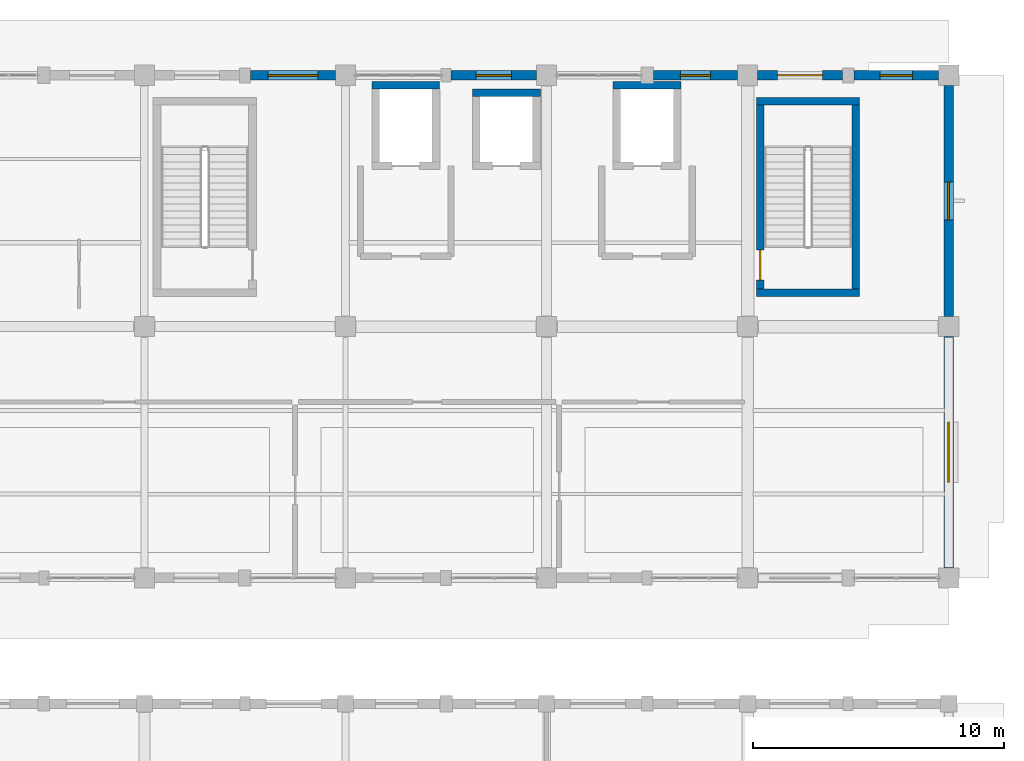
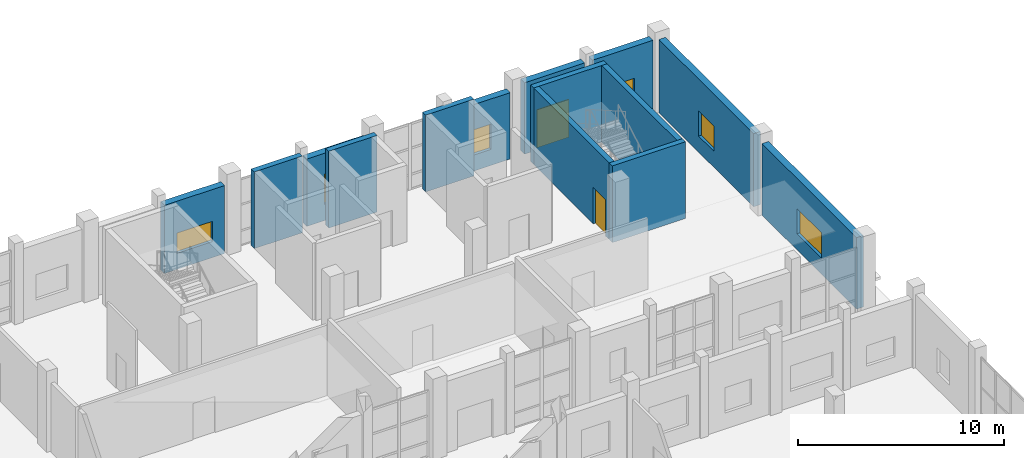
# One storey, part 133 of 156: 14 walls, 6 windows, 2 doors, 8 openings.
"""IFC4 building model written with IfcOpenShell, lengths in metres."""

from ifc_helpers import new_model, si_unit, direction, frame, frame_2d, origin, place, context, subcontext, project, spatial, rectangle, extrude, material, layer, layer_set, type_object, element, fill, save


model = new_model("IFC4")

# Units and contexts
model_context = context("Model", 3, precision=1e-05, world=origin(), true_north=direction((0.0, 1.0)))
body_context = subcontext(model_context, "Body", "Model", "MODEL_VIEW")
ifc_project = project(units=[si_unit("LENGTHUNIT", "METRE"), si_unit("AREAUNIT", "SQUARE_METRE"), si_unit("VOLUMEUNIT", "CUBIC_METRE"), si_unit("PLANEANGLEUNIT", "RADIAN"), si_unit("MASSUNIT", "GRAM", prefix="KILO")], contexts=[model_context])

# Site, building, storey
site_placement = place(None, origin())
site = spatial("IfcSite", under=ifc_project, at=site_placement, CompositionType="ELEMENT")
building_placement = place(site_placement, origin())
building = spatial("IfcBuilding", under=site, at=building_placement, Name="Luwemba Playhouse", CompositionType="ELEMENT")
storey_placement = place(building_placement, origin())
storey = spatial("IfcBuildingStorey", under=building, at=storey_placement, Name="L00", CompositionType="ELEMENT", Elevation=0.0)

# Wall, opening, window
ifc_material_1 = material(Name="Clay facing brick obra vista masonry", Category="masonry")
ifc_layer_1 = layer(ifc_material_1, 0.3798828125)
ifc_layer_set_1 = layer_set([ifc_layer_1], Name="Clay facing brick obra vista masonry")
wall_type_1 = type_object("IfcWallType", Name="WAL-BRK-380", PredefinedType="SOLIDWALL", material=ifc_layer_set_1)
wall_1_placement = place(storey_placement, frame((144.22509765625, 115.0, 0.0), z_axis=(0.0, 0.0, 1.0), x_axis=(1.0, 0.0, 0.0)))
wall_1 = element("IfcWall", 1, at=wall_1_placement, inside=storey, type_object=wall_type_1, Name="L00 V6E exterior facade wall 0118", PredefinedType="SOLIDWALL", context=body_context, shape_type="SweptSolid", body=[
    extrude(rectangle(XDim=3.375, YDim=0.3798828125, at=frame_2d((1.6875, 0.0))), origin(), (0.0, 0.0, 1.0), 4.034912109375),
])
opening_1_placement = place(wall_1_placement, frame((0.6875, 0.0, 0.949951171875)))
opening_1 = element("IfcOpeningElement", 2, at=opening_1_placement, cuts=wall_1, Name="Opening WN-16", PredefinedType="OPENING", context=body_context, shape_type="SweptSolid", body=[
    extrude(rectangle(XDim=2.0, YDim=1.199951171875, at=frame_2d((1.0, 0.60009765625))), frame((0.0, 0.199951171875, 0.0), z_axis=(0.0, -1.0, 0.0), x_axis=(1.0, 0.0, 0.0)), (0.0, 0.0, 1.0), 0.39990234375),
])
ifc_material_2 = material(Name="Solar-control double glazing in aluminium frame", Category="aluminium")
window_type_1 = type_object("IfcWindowType", Name="WIN-WN-16", PartitioningType="DOUBLE_PANEL_HORIZONTAL", PredefinedType="WINDOW", material=ifc_material_2)
window_1_placement = place(opening_1_placement, origin())
window_1 = element("IfcWindow", 3, at=window_1_placement, inside=storey, type_object=window_type_1, Name="L00 V6E scheduled window 0076", OverallHeight=1.199951171875, OverallWidth=2.0, PartitioningType="DOUBLE_PANEL_HORIZONTAL", PredefinedType="WINDOW", context=body_context, shape_type="SweptSolid", body=[
    extrude(rectangle(XDim=2.0, YDim=1.199951171875, at=frame_2d((1.0, 0.60009765625))), frame((0.0, 0.030029296875, 0.0), z_axis=(0.0, -1.0, 0.0), x_axis=(1.0, 0.0, 0.0)), (0.0, 0.0, 1.0), 0.06005859375),
])
fill(opening_1, window_1)

wall_2_placement = place(storey_placement, frame((152.199951171875, 115.0, 0.0), z_axis=(0.0, 0.0, 1.0), x_axis=(1.0, 0.0, 0.0)))
wall_2 = element("IfcWall", 4, at=wall_2_placement, inside=storey, type_object=wall_type_1, Name="L00 V6E exterior facade wall 0119", PredefinedType="SOLIDWALL", context=body_context, shape_type="SweptSolid", body=[
    extrude(rectangle(XDim=3.400146484375, YDim=0.3798828125, at=frame_2d((1.7001953125, 0.0))), origin(), (0.0, 0.0, 1.0), 3.985107421875),
])
opening_2_placement = place(wall_2_placement, frame((1.0, 0.0, 0.949951171875)))
opening_2 = element("IfcOpeningElement", 5, at=opening_2_placement, cuts=wall_2, Name="Opening WN-02", PredefinedType="OPENING", context=body_context, shape_type="SweptSolid", body=[
    extrude(rectangle(XDim=1.39990234375, YDim=1.800048828125, at=frame_2d((0.699951171875, 0.89990234375))), frame((0.0, 0.199951171875, 0.0), z_axis=(0.0, -1.0, 0.0), x_axis=(1.0, 0.0, 0.0)), (0.0, 0.0, 1.0), 0.39990234375),
])
window_type_2 = type_object("IfcWindowType", Name="WIN-WN-02", PartitioningType="DOUBLE_PANEL_VERTICAL", PredefinedType="WINDOW", material=ifc_material_2)
window_2_placement = place(opening_2_placement, origin())
window_2 = element("IfcWindow", 6, at=window_2_placement, inside=storey, type_object=window_type_2, Name="L00 V6E scheduled window 0077", OverallHeight=1.800048828125, OverallWidth=1.39990234375, PartitioningType="DOUBLE_PANEL_VERTICAL", PredefinedType="WINDOW", context=body_context, shape_type="SweptSolid", body=[
    extrude(rectangle(XDim=1.39990234375, YDim=1.800048828125, at=frame_2d((0.699951171875, 0.89990234375))), frame((0.0, 0.030029296875, 0.0), z_axis=(0.0, -1.0, 0.0), x_axis=(1.0, 0.0, 0.0)), (0.0, 0.0, 1.0), 0.06005859375),
])
fill(opening_2, window_2)

wall_3_placement = place(storey_placement, frame((160.25, 115.0, 0.0), z_axis=(0.0, 0.0, 1.0), x_axis=(1.0, 0.0, 0.0)))
wall_3 = element("IfcWall", 7, at=wall_3_placement, inside=storey, type_object=wall_type_1, Name="L00 V6E exterior facade wall 0120", PredefinedType="SOLIDWALL", context=body_context, shape_type="SweptSolid", body=[
    extrude(rectangle(XDim=3.35009765625, YDim=0.3798828125, at=frame_2d((1.675048828125, 0.0))), origin(), (0.0, 0.0, 1.0), 3.93505859375),
])
opening_3_placement = place(wall_3_placement, frame((1.074951171875, 0.0, 0.949951171875)))
opening_3 = element("IfcOpeningElement", 8, at=opening_3_placement, cuts=wall_3, Name="Opening WN-08", PredefinedType="OPENING", context=body_context, shape_type="SweptSolid", body=[
    extrude(rectangle(XDim=1.199951171875, YDim=1.5, at=frame_2d((0.60009765625, 0.75))), frame((0.0, 0.199951171875, 0.0), z_axis=(0.0, -1.0, 0.0), x_axis=(1.0, 0.0, 0.0)), (0.0, 0.0, 1.0), 0.39990234375),
])
window_type_3 = type_object("IfcWindowType", Name="WIN-WN-08", PartitioningType="SINGLE_PANEL", PredefinedType="WINDOW", material=ifc_material_2)
window_3_placement = place(opening_3_placement, origin())
window_3 = element("IfcWindow", 9, at=window_3_placement, inside=storey, type_object=window_type_3, Name="L00 V6E scheduled window 0078", OverallHeight=1.5, OverallWidth=1.199951171875, PartitioningType="SINGLE_PANEL", PredefinedType="WINDOW", context=body_context, shape_type="SweptSolid", body=[
    extrude(rectangle(XDim=1.199951171875, YDim=1.5, at=frame_2d((0.60009765625, 0.75))), frame((0.0, 0.030029296875, 0.0), z_axis=(0.0, -1.0, 0.0), x_axis=(1.0, 0.0, 0.0)), (0.0, 0.0, 1.0), 0.06005859375),
])
fill(opening_3, window_3)

# Wall, opening, door
wall_4_placement = place(storey_placement, frame((164.39990234375, 115.0, 0.0), z_axis=(0.0, 0.0, 1.0), x_axis=(1.0, 0.0, 0.0)))
wall_4 = element("IfcWall", 10, at=wall_4_placement, inside=storey, type_object=wall_type_1, Name="L00 V6E exterior facade wall 0121", PredefinedType="SOLIDWALL", context=body_context, shape_type="SweptSolid", body=[
    extrude(rectangle(XDim=3.375, YDim=0.3798828125, at=frame_2d((1.6875, 0.0))), origin(), (0.0, 0.0, 1.0), 4.235107421875),
])
opening_4_placement = place(wall_4_placement, frame((0.78759765625, 0.0, 0.0)))
opening_4 = element("IfcOpeningElement", 11, at=opening_4_placement, cuts=wall_4, Name="Opening E24", PredefinedType="OPENING", context=body_context, shape_type="SweptSolid", body=[
    extrude(rectangle(XDim=1.800048828125, YDim=2.25, at=frame_2d((0.89990234375, 1.125))), frame((0.0, 0.199951171875, 0.0), z_axis=(0.0, -1.0, 0.0), x_axis=(1.0, 0.0, 0.0)), (0.0, 0.0, 1.0), 0.39990234375),
])
ifc_material_3 = material(Name="Architectural bronze-anodised aluminium and glazed leaf", Category="aluminium")
door_type_1 = type_object("IfcDoorType", Name="DR-EXIT-180", OperationType="NOTDEFINED", PredefinedType="DOOR", material=ifc_material_3)
door_1_placement = place(opening_4_placement, origin())
door_1 = element("IfcDoor", 12, at=door_1_placement, inside=storey, type_object=door_type_1, Name="Stair ST-10 final exit discharge door", OperationType="DOUBLE_DOOR_SINGLE_SWING", OverallHeight=2.25, OverallWidth=1.800048828125, PredefinedType="DOOR", context=body_context, shape_type="SweptSolid", body=[
    extrude(rectangle(XDim=1.800048828125, YDim=2.25, at=frame_2d((0.89990234375, 1.125))), frame((0.0, 0.02490234375, 0.0), z_axis=(0.0, -1.0, 0.0), x_axis=(1.0, 0.0, 0.0)), (0.0, 0.0, 1.0), 0.050048828125),
])
fill(opening_4, door_1)

# Wall, opening, window
wall_5_placement = place(storey_placement, frame((168.22509765625, 115.0, 0.0), z_axis=(0.0, 0.0, 1.0), x_axis=(1.0, 0.0, 0.0)))
wall_5 = element("IfcWall", 13, at=wall_5_placement, inside=storey, type_object=wall_type_1, Name="L00 V6E exterior facade wall 0122", PredefinedType="SOLIDWALL", context=body_context, shape_type="SweptSolid", body=[
    extrude(rectangle(XDim=3.375, YDim=0.3798828125, at=frame_2d((1.6875, 0.0))), origin(), (0.0, 0.0, 1.0), 4.235107421875),
])
opening_5_placement = place(wall_5_placement, frame((1.03759765625, 0.0, 0.949951171875)))
opening_5 = element("IfcOpeningElement", 14, at=opening_5_placement, cuts=wall_5, Name="Opening WN-14", PredefinedType="OPENING", context=body_context, shape_type="SweptSolid", body=[
    extrude(rectangle(XDim=1.300048828125, YDim=1.39990234375, at=frame_2d((0.64990234375, 0.699951171875))), frame((0.0, 0.199951171875, 0.0), z_axis=(0.0, -1.0, 0.0), x_axis=(1.0, 0.0, 0.0)), (0.0, 0.0, 1.0), 0.39990234375),
])
window_type_4 = type_object("IfcWindowType", Name="WIN-WN-14", PartitioningType="SINGLE_PANEL", PredefinedType="WINDOW", material=ifc_material_2)
window_4_placement = place(opening_5_placement, origin())
window_4 = element("IfcWindow", 15, at=window_4_placement, inside=storey, type_object=window_type_4, Name="L00 V6E scheduled window 0079", OverallHeight=1.39990234375, OverallWidth=1.300048828125, PartitioningType="SINGLE_PANEL", PredefinedType="WINDOW", context=body_context, shape_type="SweptSolid", body=[
    extrude(rectangle(XDim=1.300048828125, YDim=1.39990234375, at=frame_2d((0.64990234375, 0.699951171875))), frame((0.0, 0.030029296875, 0.0), z_axis=(0.0, -1.0, 0.0), x_axis=(1.0, 0.0, 0.0)), (0.0, 0.0, 1.0), 0.06005859375),
])
fill(opening_5, window_4)

wall_6_placement = place(storey_placement, frame((172.0, 114.60009765625, 0.0), z_axis=(0.0, 0.0, 1.0), x_axis=(0.0, -1.0, 0.0)))
wall_6 = element("IfcWall", 16, at=wall_6_placement, inside=storey, type_object=wall_type_1, Name="L00 V6E exterior facade wall 0123", PredefinedType="SOLIDWALL", context=body_context, shape_type="SweptSolid", body=[
    extrude(rectangle(XDim=9.2001953125, YDim=0.3798828125, at=frame_2d((4.60009765625, 0.0))), origin(), (0.0, 0.0, 1.0), 4.3349609375),
])
opening_6_placement = place(wall_6_placement, frame((3.85009765625, 0.0, 0.949951171875)))
opening_6 = element("IfcOpeningElement", 17, at=opening_6_placement, cuts=wall_6, Name="Opening WN-09", PredefinedType="OPENING", context=body_context, shape_type="SweptSolid", body=[
    extrude(rectangle(XDim=1.5, YDim=1.5, at=frame_2d((0.75, 0.75))), frame((0.0, 0.199951171875, 0.0), z_axis=(0.0, -1.0, 0.0), x_axis=(1.0, 0.0, 0.0)), (0.0, 0.0, 1.0), 0.39990234375),
])
window_type_5 = type_object("IfcWindowType", Name="WIN-WN-09", PartitioningType="DOUBLE_PANEL_VERTICAL", PredefinedType="WINDOW", material=ifc_material_2)
window_5_placement = place(opening_6_placement, origin())
window_5 = element("IfcWindow", 18, at=window_5_placement, inside=storey, type_object=window_type_5, Name="L00 V6E scheduled window 0080", OverallHeight=1.5, OverallWidth=1.5, PartitioningType="DOUBLE_PANEL_VERTICAL", PredefinedType="WINDOW", context=body_context, shape_type="SweptSolid", body=[
    extrude(rectangle(XDim=1.5, YDim=1.5, at=frame_2d((0.75, 0.75))), frame((0.0, 0.030029296875, 0.0), z_axis=(0.0, -1.0, 0.0), x_axis=(1.0, 0.0, 0.0)), (0.0, 0.0, 1.0), 0.06005859375),
])
fill(opening_6, window_5)

wall_7_placement = place(storey_placement, frame((172.0, 104.60009765625, 0.0), z_axis=(0.0, 0.0, 1.0), x_axis=(0.0, -1.0, 0.0)))
wall_7 = element("IfcWall", 19, at=wall_7_placement, inside=storey, type_object=wall_type_1, Name="L00 V6E exterior facade wall 0124", PredefinedType="SOLIDWALL", context=body_context, shape_type="SweptSolid", body=[
    extrude(rectangle(XDim=9.2001953125, YDim=0.3798828125, at=frame_2d((4.60009765625, 0.0))), origin(), (0.0, 0.0, 1.0), 4.235107421875),
])
opening_7_placement = place(wall_7_placement, frame((3.39990234375, 0.0, 0.949951171875)))
opening_7 = element("IfcOpeningElement", 20, at=opening_7_placement, cuts=wall_7, Name="Opening WN-12", PredefinedType="OPENING", context=body_context, shape_type="SweptSolid", body=[
    extrude(rectangle(XDim=2.39990234375, YDim=1.5, at=frame_2d((1.199951171875, 0.75))), frame((0.0, 0.199951171875, 0.0), z_axis=(0.0, -1.0, 0.0), x_axis=(1.0, 0.0, 0.0)), (0.0, 0.0, 1.0), 0.39990234375),
])
window_type_6 = type_object("IfcWindowType", Name="WIN-WN-12", PartitioningType="TRIPLE_PANEL_VERTICAL", PredefinedType="WINDOW", material=ifc_material_2)
window_6_placement = place(opening_7_placement, origin())
window_6 = element("IfcWindow", 21, at=window_6_placement, inside=storey, type_object=window_type_6, Name="L00 V6E scheduled window 0081", OverallHeight=1.5, OverallWidth=2.39990234375, PartitioningType="TRIPLE_PANEL_VERTICAL", PredefinedType="WINDOW", context=body_context, shape_type="SweptSolid", body=[
    extrude(rectangle(XDim=2.39990234375, YDim=1.5, at=frame_2d((1.199951171875, 0.75))), frame((0.0, 0.030029296875, 0.0), z_axis=(0.0, -1.0, 0.0), x_axis=(1.0, 0.0, 0.0)), (0.0, 0.0, 1.0), 0.06005859375),
])
fill(opening_7, window_6)

# Walls
ifc_material_4 = material(Name="Concrete C40/50", Category="concrete")
ifc_layer_2 = layer(ifc_material_4, 0.300048828125)
ifc_layer_set_2 = layer_set([ifc_layer_2], Name="Concrete C40/50")
wall_type_2 = type_object("IfcWallType", Name="WAL-CORE-300", PredefinedType="SHEAR", material=ifc_layer_set_2)
for number, where, z_axis, x_axis, name in (
    (22, (164.35009765625, 106.35009765625, 0.0), (0.0, 0.0, 1.0), (1.0, 0.0, 0.0), "L00 ST-10 stair core wall S"),
    (23, (168.449951171875, 113.969970703125, 0.0), (0.0, 0.0, 1.0), (-1.0, 0.0, 0.0), "L00 ST-10 stair core wall N"),
):
    element("IfcWall", number, at=place(storey_placement, frame(where, z_axis=z_axis, x_axis=x_axis)), inside=storey, type_object=wall_type_2, Name=name, PredefinedType="SHEAR", context=body_context, shape_type="SweptSolid", body=[
        extrude(rectangle(XDim=4.099853515625, YDim=0.300048828125, at=frame_2d((2.0498046875, 0.0))), origin(), (0.0, 0.0, 1.0), 4.550048828125),
    ])

# Wall, opening, door
wall_8_placement = place(storey_placement, frame((164.5, 106.5, 0.0), z_axis=(0.0, 0.0, 1.0), x_axis=(0.0, 1.0, 0.0)))
wall_8 = element("IfcWall", 24, at=wall_8_placement, inside=storey, type_object=wall_type_2, Name="L00 ST-10 stair core wall W", PredefinedType="SHEAR", context=body_context, shape_type="SweptSolid", body=[
    extrude(rectangle(XDim=7.320068359375, YDim=0.300048828125, at=frame_2d((3.66015625, 0.0))), origin(), (0.0, 0.0, 1.0), 4.550048828125),
])
opening_8_placement = place(wall_8_placement, frame((0.35009765625, 0.0, 0.0)))
opening_8 = element("IfcOpeningElement", 25, at=opening_8_placement, cuts=wall_8, Name="Opening D-STAIR3", PredefinedType="OPENING", context=body_context, shape_type="SweptSolid", body=[
    extrude(rectangle(XDim=1.199951171875, YDim=2.14990234375, at=frame_2d((0.60009765625, 1.074951171875))), frame((0.0, 0.159912109375, 0.0), z_axis=(0.0, -1.0, 0.0), x_axis=(1.0, 0.0, 0.0)), (0.0, 0.0, 1.0), 0.320068359375),
])
ifc_material_5 = material(Name="Hardwood acoustic fire door leaf", Category="wood")
door_type_2 = type_object("IfcDoorType", Name="DR-STAIR-120", OperationType="NOTDEFINED", PredefinedType="DOOR", material=ifc_material_5)
door_2_placement = place(opening_8_placement, origin())
door_2 = element("IfcDoor", 26, at=door_2_placement, inside=storey, type_object=door_type_2, Name="L00 ST-10 protected stair entry door", OperationType="SINGLE_SWING_RIGHT", OverallHeight=2.14990234375, OverallWidth=1.199951171875, PredefinedType="DOOR", context=body_context, shape_type="SweptSolid", body=[
    extrude(rectangle(XDim=1.199951171875, YDim=2.14990234375, at=frame_2d((0.60009765625, 1.074951171875))), frame((0.0, 0.02490234375, 0.0), z_axis=(0.0, -1.0, 0.0), x_axis=(1.0, 0.0, 0.0)), (0.0, 0.0, 1.0), 0.050048828125),
])
fill(opening_8, door_2)

# Walls
wall_9_placement = place(storey_placement, frame((168.300048828125, 113.820068359375, 0.0), z_axis=(0.0, 0.0, 1.0), x_axis=(0.0, -1.0, 0.0)))
element("IfcWall", 27, at=wall_9_placement, inside=storey, type_object=wall_type_2, Name="L00 ST-10 stair core wall E", PredefinedType="SHEAR", context=body_context, shape_type="SweptSolid", body=[
    extrude(rectangle(XDim=7.320068359375, YDim=0.300048828125, at=frame_2d((3.66015625, 0.0))), origin(), (0.0, 0.0, 1.0), 4.550048828125),
])
wall_10_placement = place(storey_placement, frame((151.75, 114.60009765625, 0.0), z_axis=(0.0, 0.0, 1.0), x_axis=(-1.0, 0.0, 0.0)))
element("IfcWall", 28, at=wall_10_placement, inside=storey, type_object=wall_type_2, Name="L00 Lift LF-FF1 shaft wall N", PredefinedType="SHEAR", context=body_context, shape_type="SweptSolid", body=[
    extrude(rectangle(XDim=2.699951171875, YDim=0.300048828125, at=frame_2d((1.35009765625, 0.0))), origin(), (0.0, 0.0, 1.0), 4.550048828125),
])
wall_11_placement = place(storey_placement, frame((161.35009765625, 114.60009765625, 0.0), z_axis=(0.0, 0.0, 1.0), x_axis=(-1.0, 0.0, 0.0)))
element("IfcWall", 29, at=wall_11_placement, inside=storey, type_object=wall_type_2, Name="L00 Lift LF-FF2 shaft wall N", PredefinedType="SHEAR", context=body_context, shape_type="SweptSolid", body=[
    extrude(rectangle(XDim=2.7001953125, YDim=0.300048828125, at=frame_2d((1.35009765625, 0.0))), origin(), (0.0, 0.0, 1.0), 4.550048828125),
])
wall_12_placement = place(storey_placement, frame((155.75, 114.300048828125, 0.0), z_axis=(0.0, 0.0, 1.0), x_axis=(-1.0, 0.0, 0.0)))
element("IfcWall", 30, at=wall_12_placement, inside=storey, type_object=wall_type_2, Name="L00 Lift LF-P6 shaft wall N", PredefinedType="SHEAR", context=body_context, shape_type="SweptSolid", body=[
    extrude(rectangle(XDim=2.699951171875, YDim=0.300048828125, at=frame_2d((1.35009765625, 0.0))), origin(), (0.0, 0.0, 1.0), 4.550048828125),
])

save(model, "model.ifc")
